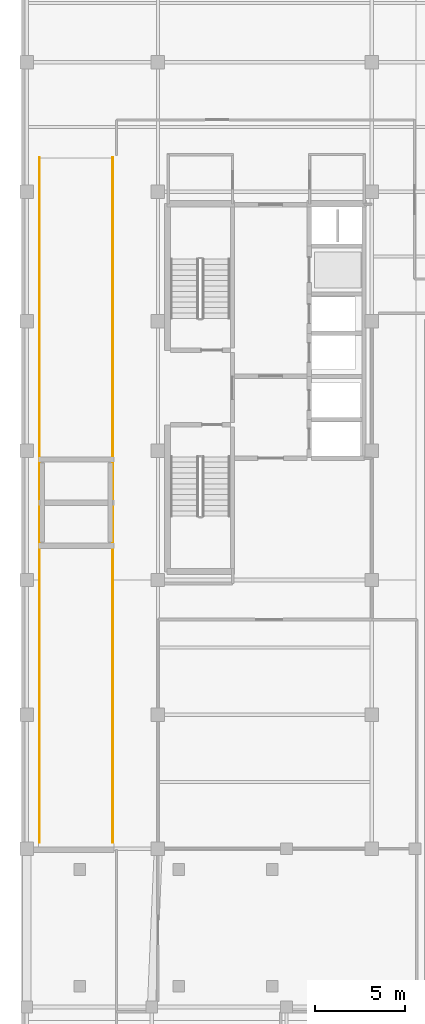
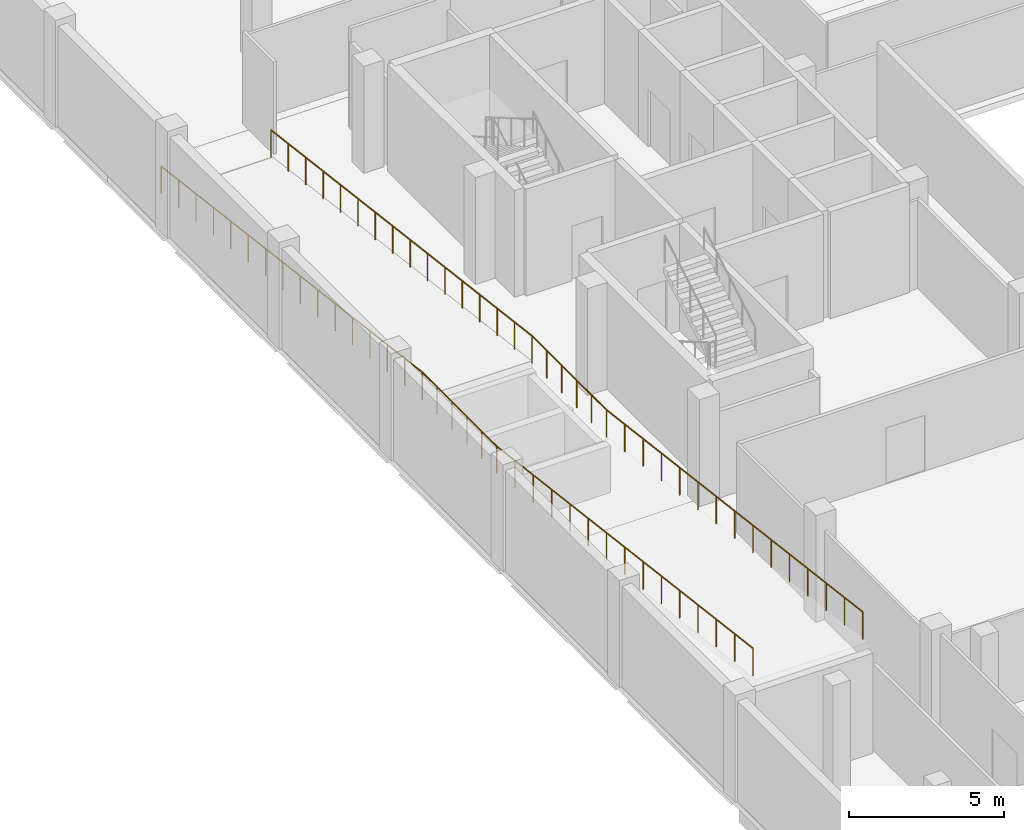
# One storey, part 12 of 15: 2 railings.
"""IFC4 building model written with IfcOpenShell, lengths in metres."""

from ifc_helpers import new_model, si_unit, direction, frame, origin, origin_2d, place, context, subcontext, project, spatial, circle, extrude, material, type_object, element, save


model = new_model("IFC4")

# Units and contexts
model_context = context("Model", 3, precision=1e-05, world=origin(), true_north=direction((0.0, 1.0)))
body_context = subcontext(model_context, "Body", "Model", "MODEL_VIEW")
ifc_project = project(units=[si_unit("LENGTHUNIT", "METRE"), si_unit("AREAUNIT", "SQUARE_METRE"), si_unit("VOLUMEUNIT", "CUBIC_METRE"), si_unit("PLANEANGLEUNIT", "RADIAN"), si_unit("MASSUNIT", "GRAM", prefix="KILO")], contexts=[model_context])

# Site, building, storey
site_placement = place(None, origin())
site = spatial("IfcSite", under=ifc_project, at=site_placement, CompositionType="ELEMENT")
building_placement = place(site_placement, origin())
building = spatial("IfcBuilding", under=site, at=building_placement, Name="Quillay Park Conservatory", CompositionType="ELEMENT")
storey_placement = place(building_placement, frame((0.0, 0.0, -4.199951171875)))
storey = spatial("IfcBuildingStorey", under=building, at=storey_placement, Name="B1", CompositionType="ELEMENT", Elevation=-4.199951171875)

# Railings
ifc_material = material(Name="Steel S355J2H", Category="steel")
railing_type = type_object("IfcRailingType", Name="TERRACE PERIMETER GUARDRAIL 1100", PredefinedType="GUARDRAIL", material=ifc_material)
railing_1_placement = place(storey_placement, frame((1.260009765625, 63.39990234375, 4.1650390625)))
element("IfcRailing", 1, at=railing_1_placement, inside=storey, type_object=railing_type, Name="B1 Perimeter Safety Guardrail 047", PredefinedType="GUARDRAIL", context=body_context, shape_type="SweptSolid", body=[
    extrude(circle(Radius=0.02392578125, at=origin_2d()), frame((0.0, 0.0, 1.076171875), z_axis=(0.0, 0.992257987009, -0.1241937487), x_axis=(-1.0, 0.0, 0.0)), (0.0, 0.0, 1.0), 16.628662109375),
    extrude(circle(Radius=0.02392578125, at=origin_2d()), frame((0.0, 16.5, -0.9892578125), z_axis=(0.0, 1.0, 0.0), x_axis=(-1.0, 0.0, 0.0)), (0.0, 0.0, 1.0), 4.800048828125),
    extrude(circle(Radius=0.02392578125, at=origin_2d()), frame((0.0, 21.300048828125, -0.9892578125), z_axis=(0.0, 0.9922789859, -0.124025860778), x_axis=(-1.0, 0.0, 0.0)), (0.0, 0.0, 1.0), 16.9306640625),
    extrude(circle(Radius=0.02099609375, at=origin_2d()), origin(), (0.0, 0.0, 1.0), 1.052001953125),
    extrude(circle(Radius=0.02099609375, at=origin_2d()), frame((0.0, 1.178466796875, -0.1474609375)), (0.0, 0.0, 1.0), 1.052001953125),
    extrude(circle(Radius=0.02099609375, at=origin_2d()), frame((0.0, 2.357177734375, -0.294921875)), (0.0, 0.0, 1.0), 1.052001953125),
    extrude(circle(Radius=0.02099609375, at=origin_2d()), frame((0.0, 3.53564453125, -0.442626953125)), (0.0, 0.0, 1.0), 1.052001953125),
    extrude(circle(Radius=0.02099609375, at=origin_2d()), frame((0.0, 4.71435546875, -0.590087890625)), (0.0, 0.0, 1.0), 1.052001953125),
    extrude(circle(Radius=0.02099609375, at=origin_2d()), frame((0.0, 5.892822265625, -0.737548828125)), (0.0, 0.0, 1.0), 1.052001953125),
    extrude(circle(Radius=0.02099609375, at=origin_2d()), frame((0.0, 7.071533203125, -0.885009765625)), (0.0, 0.0, 1.0), 1.052001953125),
    extrude(circle(Radius=0.02099609375, at=origin_2d()), frame((0.0, 8.25, -1.03271484375)), (0.0, 0.0, 1.0), 1.052001953125),
    extrude(circle(Radius=0.02099609375, at=origin_2d()), frame((0.0, 9.428466796875, -1.18017578125)), (0.0, 0.0, 1.0), 1.052001953125),
    extrude(circle(Radius=0.02099609375, at=origin_2d()), frame((0.0, 10.607177734375, -1.32763671875)), (0.0, 0.0, 1.0), 1.052001953125),
    extrude(circle(Radius=0.02099609375, at=origin_2d()), frame((0.0, 11.78564453125, -1.47509765625)), (0.0, 0.0, 1.0), 1.052001953125),
    extrude(circle(Radius=0.02099609375, at=origin_2d()), frame((0.0, 12.96435546875, -1.62255859375)), (0.0, 0.0, 1.0), 1.052001953125),
    extrude(circle(Radius=0.02099609375, at=origin_2d()), frame((0.0, 14.142822265625, -1.770263671875)), (0.0, 0.0, 1.0), 1.052001953125),
    extrude(circle(Radius=0.02099609375, at=origin_2d()), frame((0.0, 15.321533203125, -1.917724609375)), (0.0, 0.0, 1.0), 1.052001953125),
    extrude(circle(Radius=0.02099609375, at=origin_2d()), frame((0.0, 16.5, -2.065185546875)), (0.0, 0.0, 1.0), 1.052001953125),
    extrude(circle(Radius=0.02099609375, at=origin_2d()), frame((0.0, 17.4599609375, -2.065185546875)), (0.0, 0.0, 1.0), 1.052001953125),
    extrude(circle(Radius=0.02099609375, at=origin_2d()), frame((0.0, 18.419921875, -2.065185546875)), (0.0, 0.0, 1.0), 1.052001953125),
    extrude(circle(Radius=0.02099609375, at=origin_2d()), frame((0.0, 19.380126953125, -2.065185546875)), (0.0, 0.0, 1.0), 1.052001953125),
    extrude(circle(Radius=0.02099609375, at=origin_2d()), frame((0.0, 20.340087890625, -2.065185546875)), (0.0, 0.0, 1.0), 1.052001953125),
    extrude(circle(Radius=0.02099609375, at=origin_2d()), frame((0.0, 21.300048828125, -2.065185546875)), (0.0, 0.0, 1.0), 1.052001953125),
    extrude(circle(Radius=0.02099609375, at=origin_2d()), frame((0.0, 22.420166015625, -2.205078125)), (0.0, 0.0, 1.0), 1.052001953125),
    extrude(circle(Radius=0.02099609375, at=origin_2d()), frame((0.0, 23.5400390625, -2.34521484375)), (0.0, 0.0, 1.0), 1.052001953125),
    extrude(circle(Radius=0.02099609375, at=origin_2d()), frame((0.0, 24.66015625, -2.485107421875)), (0.0, 0.0, 1.0), 1.052001953125),
    extrude(circle(Radius=0.02099609375, at=origin_2d()), frame((0.0, 25.780029296875, -2.625244140625)), (0.0, 0.0, 1.0), 1.052001953125),
    extrude(circle(Radius=0.02099609375, at=origin_2d()), frame((0.0, 26.900146484375, -2.76513671875)), (0.0, 0.0, 1.0), 1.052001953125),
    extrude(circle(Radius=0.02099609375, at=origin_2d()), frame((0.0, 28.02001953125, -2.905029296875)), (0.0, 0.0, 1.0), 1.052001953125),
    extrude(circle(Radius=0.02099609375, at=origin_2d()), frame((0.0, 29.14013671875, -3.045166015625)), (0.0, 0.0, 1.0), 1.052001953125),
    extrude(circle(Radius=0.02099609375, at=origin_2d()), frame((0.0, 30.260009765625, -3.18505859375)), (0.0, 0.0, 1.0), 1.052001953125),
    extrude(circle(Radius=0.02099609375, at=origin_2d()), frame((0.0, 31.380126953125, -3.3251953125)), (0.0, 0.0, 1.0), 1.052001953125),
    extrude(circle(Radius=0.02099609375, at=origin_2d()), frame((0.0, 32.5, -3.465087890625)), (0.0, 0.0, 1.0), 1.052001953125),
    extrude(circle(Radius=0.02099609375, at=origin_2d()), frame((0.0, 33.6201171875, -3.60498046875)), (0.0, 0.0, 1.0), 1.052001953125),
    extrude(circle(Radius=0.02099609375, at=origin_2d()), frame((0.0, 34.739990234375, -3.7451171875)), (0.0, 0.0, 1.0), 1.052001953125),
    extrude(circle(Radius=0.02099609375, at=origin_2d()), frame((0.0, 35.860107421875, -3.885009765625)), (0.0, 0.0, 1.0), 1.052001953125),
    extrude(circle(Radius=0.02099609375, at=origin_2d()), frame((0.0, 36.97998046875, -4.025146484375)), (0.0, 0.0, 1.0), 1.052001953125),
    extrude(circle(Radius=0.02099609375, at=origin_2d()), frame((0.0, 38.10009765625, -4.1650390625)), (0.0, 0.0, 1.0), 1.052001953125),
])
railing_2_placement = place(storey_placement, frame((5.340087890625, 63.39990234375, 4.1650390625)))
element("IfcRailing", 2, at=railing_2_placement, inside=storey, type_object=railing_type, Name="B1 Perimeter Safety Guardrail 048", PredefinedType="GUARDRAIL", context=body_context, shape_type="SweptSolid", body=[
    extrude(circle(Radius=0.02392578125, at=origin_2d()), frame((0.0, 0.0, 1.076171875), z_axis=(0.0, 0.992257987009, -0.1241937487), x_axis=(-1.0, 0.0, 0.0)), (0.0, 0.0, 1.0), 16.628662109375),
    extrude(circle(Radius=0.02392578125, at=origin_2d()), frame((0.0, 16.5, -0.9892578125), z_axis=(0.0, 1.0, 0.0), x_axis=(-1.0, 0.0, 0.0)), (0.0, 0.0, 1.0), 4.800048828125),
    extrude(circle(Radius=0.02392578125, at=origin_2d()), frame((0.0, 21.300048828125, -0.9892578125), z_axis=(0.0, 0.9922789859, -0.124025860778), x_axis=(-1.0, 0.0, 0.0)), (0.0, 0.0, 1.0), 16.9306640625),
    extrude(circle(Radius=0.02099609375, at=origin_2d()), origin(), (0.0, 0.0, 1.0), 1.052001953125),
    extrude(circle(Radius=0.02099609375, at=origin_2d()), frame((0.0, 1.178466796875, -0.1474609375)), (0.0, 0.0, 1.0), 1.052001953125),
    extrude(circle(Radius=0.02099609375, at=origin_2d()), frame((0.0, 2.357177734375, -0.294921875)), (0.0, 0.0, 1.0), 1.052001953125),
    extrude(circle(Radius=0.02099609375, at=origin_2d()), frame((0.0, 3.53564453125, -0.442626953125)), (0.0, 0.0, 1.0), 1.052001953125),
    extrude(circle(Radius=0.02099609375, at=origin_2d()), frame((0.0, 4.71435546875, -0.590087890625)), (0.0, 0.0, 1.0), 1.052001953125),
    extrude(circle(Radius=0.02099609375, at=origin_2d()), frame((0.0, 5.892822265625, -0.737548828125)), (0.0, 0.0, 1.0), 1.052001953125),
    extrude(circle(Radius=0.02099609375, at=origin_2d()), frame((0.0, 7.071533203125, -0.885009765625)), (0.0, 0.0, 1.0), 1.052001953125),
    extrude(circle(Radius=0.02099609375, at=origin_2d()), frame((0.0, 8.25, -1.03271484375)), (0.0, 0.0, 1.0), 1.052001953125),
    extrude(circle(Radius=0.02099609375, at=origin_2d()), frame((0.0, 9.428466796875, -1.18017578125)), (0.0, 0.0, 1.0), 1.052001953125),
    extrude(circle(Radius=0.02099609375, at=origin_2d()), frame((0.0, 10.607177734375, -1.32763671875)), (0.0, 0.0, 1.0), 1.052001953125),
    extrude(circle(Radius=0.02099609375, at=origin_2d()), frame((0.0, 11.78564453125, -1.47509765625)), (0.0, 0.0, 1.0), 1.052001953125),
    extrude(circle(Radius=0.02099609375, at=origin_2d()), frame((0.0, 12.96435546875, -1.62255859375)), (0.0, 0.0, 1.0), 1.052001953125),
    extrude(circle(Radius=0.02099609375, at=origin_2d()), frame((0.0, 14.142822265625, -1.770263671875)), (0.0, 0.0, 1.0), 1.052001953125),
    extrude(circle(Radius=0.02099609375, at=origin_2d()), frame((0.0, 15.321533203125, -1.917724609375)), (0.0, 0.0, 1.0), 1.052001953125),
    extrude(circle(Radius=0.02099609375, at=origin_2d()), frame((0.0, 16.5, -2.065185546875)), (0.0, 0.0, 1.0), 1.052001953125),
    extrude(circle(Radius=0.02099609375, at=origin_2d()), frame((0.0, 17.4599609375, -2.065185546875)), (0.0, 0.0, 1.0), 1.052001953125),
    extrude(circle(Radius=0.02099609375, at=origin_2d()), frame((0.0, 18.419921875, -2.065185546875)), (0.0, 0.0, 1.0), 1.052001953125),
    extrude(circle(Radius=0.02099609375, at=origin_2d()), frame((0.0, 19.380126953125, -2.065185546875)), (0.0, 0.0, 1.0), 1.052001953125),
    extrude(circle(Radius=0.02099609375, at=origin_2d()), frame((0.0, 20.340087890625, -2.065185546875)), (0.0, 0.0, 1.0), 1.052001953125),
    extrude(circle(Radius=0.02099609375, at=origin_2d()), frame((0.0, 21.300048828125, -2.065185546875)), (0.0, 0.0, 1.0), 1.052001953125),
    extrude(circle(Radius=0.02099609375, at=origin_2d()), frame((0.0, 22.420166015625, -2.205078125)), (0.0, 0.0, 1.0), 1.052001953125),
    extrude(circle(Radius=0.02099609375, at=origin_2d()), frame((0.0, 23.5400390625, -2.34521484375)), (0.0, 0.0, 1.0), 1.052001953125),
    extrude(circle(Radius=0.02099609375, at=origin_2d()), frame((0.0, 24.66015625, -2.485107421875)), (0.0, 0.0, 1.0), 1.052001953125),
    extrude(circle(Radius=0.02099609375, at=origin_2d()), frame((0.0, 25.780029296875, -2.625244140625)), (0.0, 0.0, 1.0), 1.052001953125),
    extrude(circle(Radius=0.02099609375, at=origin_2d()), frame((0.0, 26.900146484375, -2.76513671875)), (0.0, 0.0, 1.0), 1.052001953125),
    extrude(circle(Radius=0.02099609375, at=origin_2d()), frame((0.0, 28.02001953125, -2.905029296875)), (0.0, 0.0, 1.0), 1.052001953125),
    extrude(circle(Radius=0.02099609375, at=origin_2d()), frame((0.0, 29.14013671875, -3.045166015625)), (0.0, 0.0, 1.0), 1.052001953125),
    extrude(circle(Radius=0.02099609375, at=origin_2d()), frame((0.0, 30.260009765625, -3.18505859375)), (0.0, 0.0, 1.0), 1.052001953125),
    extrude(circle(Radius=0.02099609375, at=origin_2d()), frame((0.0, 31.380126953125, -3.3251953125)), (0.0, 0.0, 1.0), 1.052001953125),
    extrude(circle(Radius=0.02099609375, at=origin_2d()), frame((0.0, 32.5, -3.465087890625)), (0.0, 0.0, 1.0), 1.052001953125),
    extrude(circle(Radius=0.02099609375, at=origin_2d()), frame((0.0, 33.6201171875, -3.60498046875)), (0.0, 0.0, 1.0), 1.052001953125),
    extrude(circle(Radius=0.02099609375, at=origin_2d()), frame((0.0, 34.739990234375, -3.7451171875)), (0.0, 0.0, 1.0), 1.052001953125),
    extrude(circle(Radius=0.02099609375, at=origin_2d()), frame((0.0, 35.860107421875, -3.885009765625)), (0.0, 0.0, 1.0), 1.052001953125),
    extrude(circle(Radius=0.02099609375, at=origin_2d()), frame((0.0, 36.97998046875, -4.025146484375)), (0.0, 0.0, 1.0), 1.052001953125),
    extrude(circle(Radius=0.02099609375, at=origin_2d()), frame((0.0, 38.10009765625, -4.1650390625)), (0.0, 0.0, 1.0), 1.052001953125),
])

save(model, "model.ifc")
